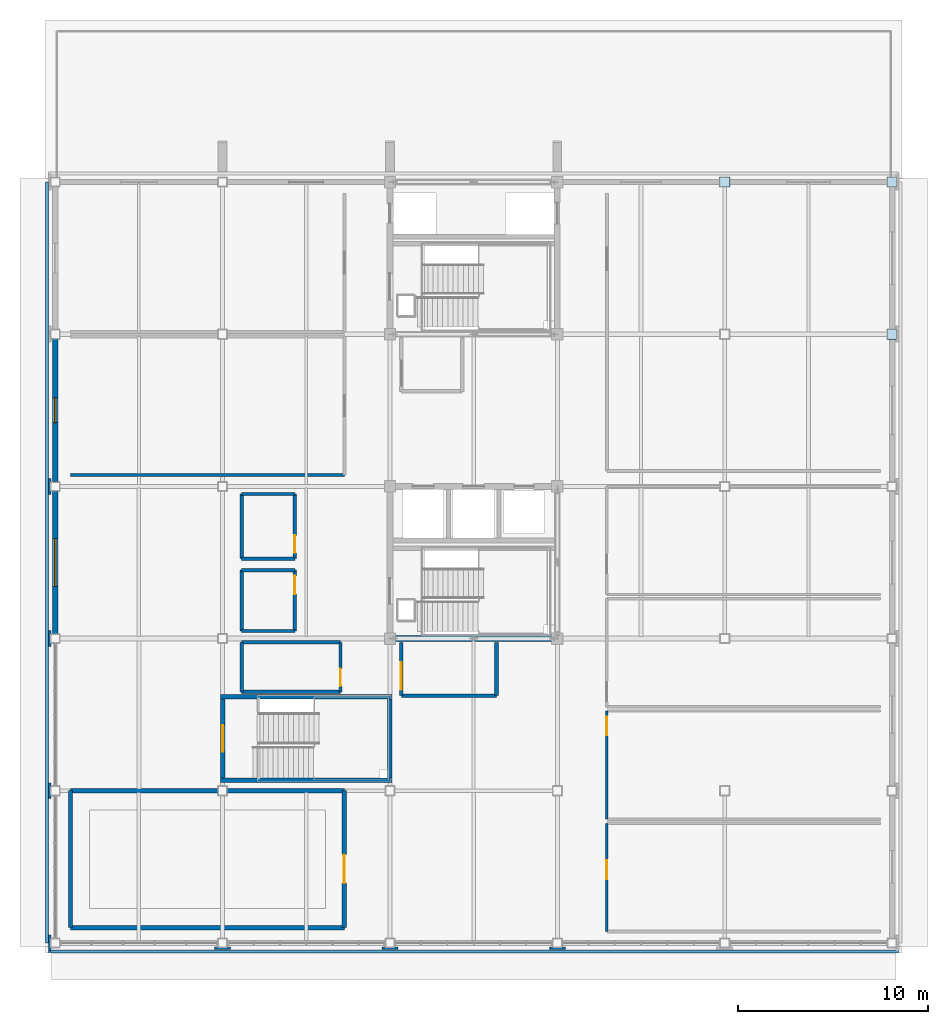
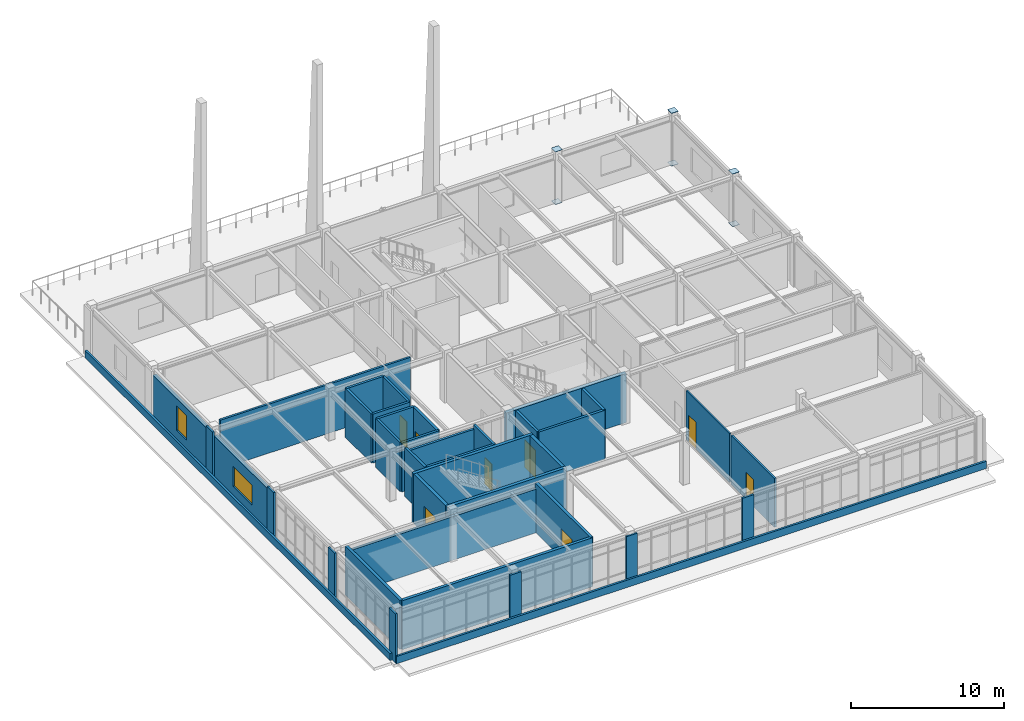
# One storey, part 14 of 22: 38 walls, 8 doors, 6 plates, 2 windows, 10 openings.
"""IFC4 building model written with IfcOpenShell, lengths in metres."""

from ifc_helpers import new_model, si_unit, direction, frame, frame_2d, origin, origin_2d, place, context, subcontext, project, spatial, rectangle, extrude, material, layer, layer_set, type_object, element, fill, save


model = new_model("IFC4")

# Units and contexts
model_context = context("Model", 3, precision=1e-05, world=origin(), true_north=direction((0.0, 1.0)))
body_context = subcontext(model_context, "Body", "Model", "MODEL_VIEW")
ifc_project = project(units=[si_unit("LENGTHUNIT", "METRE"), si_unit("AREAUNIT", "SQUARE_METRE"), si_unit("VOLUMEUNIT", "CUBIC_METRE"), si_unit("PLANEANGLEUNIT", "RADIAN"), si_unit("MASSUNIT", "GRAM", prefix="KILO")], contexts=[model_context])

# Site, building, storey
site_placement = place(None, origin())
site = spatial("IfcSite", under=ifc_project, at=site_placement, CompositionType="ELEMENT")
building_placement = place(site_placement, origin())
building = spatial("IfcBuilding", under=site, at=building_placement, Name="Zhaolan Boulevard Law Courts", CompositionType="ELEMENT")
storey_placement = place(building_placement, frame((0.0, 0.0, 28.800048828125)))
storey = spatial("IfcBuildingStorey", under=building, at=storey_placement, Name="L06", CompositionType="ELEMENT", Elevation=28.800048828125)

# Plates
ifc_material_1 = material(Name="Structural steel Q355B", Category="steel")
ifc_layer_1 = layer(ifc_material_1, 0.02001953125)
ifc_layer_set_1 = layer_set([ifc_layer_1])
plate_type = type_object("IfcPlateType", Name="END CAP PLATE 20", PredefinedType="SHEET", material=ifc_layer_set_1)
for number, where, z_axis, x_axis, name in (
    (1, (35.199951171875, 70.0, -0.01806640625), (0.0, 0.0, 1.0), (1.0, 0.0, 0.0), "Hollow Section End-Cap Plate ECP-0479"),
    (2, (35.199951171875, 70.0, 4.197998046875), (0.0, 0.0, 1.0), (1.0, 0.0, 0.0), "Hollow Section End-Cap Plate ECP-0480"),
    (3, (44.0, 62.0, -0.01806640625), (0.0, 0.0, 1.0), (1.0, 0.0, 0.0), "Hollow Section End-Cap Plate ECP-0573"),
    (4, (44.0, 62.0, 4.197998046875), (0.0, 0.0, 1.0), (1.0, 0.0, 0.0), "Hollow Section End-Cap Plate ECP-0574"),
    (5, (44.0, 70.0, -0.01806640625), (0.0, 0.0, 1.0), (1.0, 0.0, 0.0), "Hollow Section End-Cap Plate ECP-0591"),
    (6, (44.0, 70.0, 4.197998046875), (0.0, 0.0, 1.0), (1.0, 0.0, 0.0), "Hollow Section End-Cap Plate ECP-0592"),
):
    element("IfcPlate", number, at=place(storey_placement, frame(where, z_axis=z_axis, x_axis=x_axis)), inside=storey, type_object=plate_type, Name=name, PredefinedType="SHEET", context=body_context, shape_type="SweptSolid", body=[
        extrude(rectangle(XDim=0.530029296875, YDim=0.530029296875, at=origin_2d()), origin(), (0.0, 0.0, 1.0), 0.02001953125),
    ])

# Walls
ifc_material_2 = material(Name="Concrete C50", Category="concrete")
ifc_layer_2 = layer(ifc_material_2, 0.300048828125)
ifc_layer_set_2 = layer_set([ifc_layer_2])
wall_type_1 = type_object("IfcWallType", Name="CORE SHEAR WALL 300", PredefinedType="SHEAR", material=ifc_layer_set_2)
wall_1_placement = place(storey_placement, frame((17.449951171875, 46.0, 0.0), z_axis=(0.0, 0.0, 1.0), x_axis=(1.0, 0.0, 0.0)))
element("IfcWall", 7, at=wall_1_placement, inside=storey, type_object=wall_type_1, Name="Core Shear Wall CW-W1-L06S", PredefinedType="SHEAR", context=body_context, shape_type="SweptSolid", body=[
    extrude(rectangle(XDim=9.10009765625, YDim=0.300048828125, at=frame_2d((4.550048828125, 0.0))), origin(), (0.0, 0.0, 1.0), 3.919921875),
])
ifc_material_3 = material(Name="Concrete C40", Category="concrete")
ifc_layer_3 = layer(ifc_material_3, 0.139892578125)
ifc_layer_set_3 = layer_set([ifc_layer_3])
wall_type_2 = type_object("IfcWallType", Name="EXT WALL ARCH CLAD140", PredefinedType="SOLIDWALL", material=ifc_layer_set_3)
for number, where, z_axis, x_axis, name in (
    (8, (-0.280029296875, 29.580078125, 0.0), (0.0, 0.0, 1.0), (0.0, 1.0, 0.0), "Concrete Column Cloak Pier CPR-143"),
    (9, (-0.280029296875, 37.580078125, 0.0), (0.0, 0.0, 1.0), (0.0, 1.0, 0.0), "Concrete Column Cloak Pier CPR-145"),
    (10, (-0.280029296875, 45.580078125, 0.0), (0.0, 0.0, 1.0), (0.0, 1.0, 0.0), "Concrete Column Cloak Pier CPR-147"),
    (11, (-0.280029296875, 53.580078125, 0.0), (0.0, 0.0, 1.0), (0.0, 1.0, 0.0), "Concrete Column Cloak Pier CPR-149"),
):
    element("IfcWall", number, at=place(storey_placement, frame(where, z_axis=z_axis, x_axis=x_axis)), inside=storey, type_object=wall_type_2, Name=name, PredefinedType="SOLIDWALL", context=body_context, shape_type="SweptSolid", body=[
        extrude(rectangle(XDim=0.83984375, YDim=0.139892578125, at=frame_2d((0.419921875, 0.0))), origin(), (0.0, 0.0, 1.0), 3.93994140625),
    ])
for number, where, z_axis, x_axis, name in (
    (12, (8.3798828125, 29.719970703125, 0.0), (0.0, 0.0, 1.0), (1.0, 0.0, 0.0), "Concrete Column Cloak Pier CPR-155"),
    (13, (17.179931640625, 29.719970703125, 0.0), (0.0, 0.0, 1.0), (1.0, 0.0, 0.0), "Concrete Column Cloak Pier CPR-156"),
    (14, (25.97998046875, 29.719970703125, 0.0), (0.0, 0.0, 1.0), (1.0, 0.0, 0.0), "Concrete Column Cloak Pier CPR-157"),
):
    element("IfcWall", number, at=place(storey_placement, frame(where, z_axis=z_axis, x_axis=x_axis)), inside=storey, type_object=wall_type_2, Name=name, PredefinedType="SOLIDWALL", context=body_context, shape_type="SweptSolid", body=[
        extrude(rectangle(XDim=0.840087890625, YDim=0.139892578125, at=frame_2d((0.419921875, 0.0))), origin(), (0.0, 0.0, 1.0), 3.93994140625),
    ])
ifc_material_4 = material(Name="Concrete C40", Category="concrete")
ifc_layer_4 = layer(ifc_material_4, 0.159912109375)
ifc_layer_set_4 = layer_set([ifc_layer_4])
wall_type_3 = type_object("IfcWallType", Name="EXT WALL ARCH CLAD160", PredefinedType="SOLIDWALL", material=ifc_layer_set_4)
wall_2_placement = place(storey_placement, frame((-0.43994140625, 70.0, 0.0), z_axis=(0.0, 0.0, 1.0), x_axis=(0.0, -1.0, 0.0)))
element("IfcWall", 15, at=wall_2_placement, inside=storey, type_object=wall_type_3, Name="Sculpted Concrete Spandrel Band CBW-139", PredefinedType="SOLIDWALL", context=body_context, shape_type="SweptSolid", body=[
    extrude(rectangle(XDim=40.0, YDim=0.159912109375, at=frame_2d((20.0, 0.0))), origin(), (0.0, 0.0, 1.0), 0.579833984375),
])
wall_3_placement = place(storey_placement, frame((-0.340087890625, 29.56005859375, 0.0), z_axis=(0.0, 0.0, 1.0), x_axis=(1.0, 0.0, 0.0)))
element("IfcWall", 16, at=wall_3_placement, inside=storey, type_object=wall_type_3, Name="Sculpted Concrete Spandrel Band CBW-141", PredefinedType="SOLIDWALL", context=body_context, shape_type="SweptSolid", body=[
    extrude(rectangle(XDim=44.68017578125, YDim=0.159912109375, at=frame_2d((22.340087890625, 0.0))), origin(), (0.0, 0.0, 1.0), 0.579833984375),
])

# Wall, opening, window
ifc_material_5 = material(Name="Concrete C40", Category="concrete")
ifc_layer_5 = layer(ifc_material_5, 0.280029296875)
ifc_layer_set_5 = layer_set([ifc_layer_5])
wall_type_4 = type_object("IfcWallType", Name="EXT WALL CONCRETE280", PredefinedType="SOLIDWALL", material=ifc_layer_set_5)
wall_4_placement = place(storey_placement, frame((0.0, 53.75390625, 0.0), z_axis=(0.0, 0.0, 1.0), x_axis=(0.0, -1.0, 0.0)))
wall_4 = element("IfcWall", 17, at=wall_4_placement, inside=storey, type_object=wall_type_4, Name="Exterior Wall EW-L06-381", PredefinedType="SOLIDWALL", context=body_context, shape_type="SweptSolid", body=[
    extrude(rectangle(XDim=7.5078125, YDim=0.280029296875, at=frame_2d((3.75390625, 0.0))), origin(), (0.0, 0.0, 1.0), 3.48291015625),
])
opening_1_placement = place(wall_4_placement, frame((2.50390625, 0.0, 0.949951171875)))
opening_1 = element("IfcOpeningElement", 18, at=opening_1_placement, cuts=wall_4, Name="Opening WIN-L06-231", PredefinedType="OPENING", context=body_context, shape_type="SweptSolid", body=[
    extrude(rectangle(XDim=2.5, YDim=1.60009765625, at=frame_2d((1.25, 0.800048828125))), frame((0.0, 0.14990234375, 0.0), z_axis=(0.0, -1.0, 0.0), x_axis=(1.0, 0.0, 0.0)), (0.0, 0.0, 1.0), 0.300048828125),
])
ifc_material_6 = material(Name="Thermally broken aluminium and low-E glazing", Category="aluminium")
window_type_1 = type_object("IfcWindowType", Name="WINDOW 2500X1600", PartitioningType="DOUBLE_PANEL_VERTICAL", PredefinedType="WINDOW", material=ifc_material_6)
window_1_placement = place(opening_1_placement, origin())
window_1 = element("IfcWindow", 19, at=window_1_placement, inside=storey, type_object=window_type_1, Name="Exterior Window WIN-L06-231", OverallHeight=1.60009765625, OverallWidth=2.5, PartitioningType="SINGLE_PANEL", PredefinedType="WINDOW", context=body_context, shape_type="SweptSolid", body=[
    extrude(rectangle(XDim=2.5, YDim=1.60009765625, at=frame_2d((1.25, 0.800048828125))), frame((0.0, 0.030029296875, 0.0), z_axis=(0.0, -1.0, 0.0), x_axis=(1.0, 0.0, 0.0)), (0.0, 0.0, 1.0), 0.06005859375),
])
fill(opening_1, window_1)

wall_5_placement = place(storey_placement, frame((0.0, 61.75390625, 0.0), z_axis=(0.0, 0.0, 1.0), x_axis=(0.0, -1.0, 0.0)))
wall_5 = element("IfcWall", 20, at=wall_5_placement, inside=storey, type_object=wall_type_4, Name="Exterior Wall EW-L06-382", PredefinedType="SOLIDWALL", context=body_context, shape_type="SweptSolid", body=[
    extrude(rectangle(XDim=7.5078125, YDim=0.280029296875, at=frame_2d((3.75390625, 0.0))), origin(), (0.0, 0.0, 1.0), 3.48291015625),
])
opening_2_placement = place(wall_5_placement, frame((3.10400390625, 0.0, 0.949951171875)))
opening_2 = element("IfcOpeningElement", 21, at=opening_2_placement, cuts=wall_5, Name="Opening WIN-L06-232", PredefinedType="OPENING", context=body_context, shape_type="SweptSolid", body=[
    extrude(rectangle(XDim=1.300048828125, YDim=1.949951171875, at=frame_2d((0.64990234375, 0.97509765625))), frame((0.0, 0.14990234375, 0.0), z_axis=(0.0, -1.0, 0.0), x_axis=(1.0, 0.0, 0.0)), (0.0, 0.0, 1.0), 0.300048828125),
])
ifc_material_7 = material(Name="Thermally broken aluminium and low-E glazing", Category="aluminium")
window_type_2 = type_object("IfcWindowType", Name="WINDOW 1300X1950", PartitioningType="SINGLE_PANEL", PredefinedType="WINDOW", material=ifc_material_7)
window_2_placement = place(opening_2_placement, origin())
window_2 = element("IfcWindow", 22, at=window_2_placement, inside=storey, type_object=window_type_2, Name="Exterior Window WIN-L06-232", OverallHeight=1.949951171875, OverallWidth=1.300048828125, PartitioningType="SINGLE_PANEL", PredefinedType="WINDOW", context=body_context, shape_type="SweptSolid", body=[
    extrude(rectangle(XDim=1.300048828125, YDim=1.949951171875, at=frame_2d((0.64990234375, 0.97509765625))), frame((0.0, 0.030029296875, 0.0), z_axis=(0.0, -1.0, 0.0), x_axis=(1.0, 0.0, 0.0)), (0.0, 0.0, 1.0), 0.06005859375),
])
fill(opening_2, window_2)

# Wall
ifc_material_8 = material(Name="Acoustic gypsum and mineral-wool stud")
ifc_layer_6 = layer(ifc_material_8, 0.18994140625)
ifc_layer_set_6 = layer_set([ifc_layer_6])
wall_type_5 = type_object("IfcWallType", Name="PART WALL ACOUST190", PredefinedType="PARTITIONING", material=ifc_layer_set_6)
wall_6_placement = place(storey_placement, frame((18.199951171875, 43.0, 0.0), z_axis=(0.0, 0.0, 1.0), x_axis=(1.0, 0.0, 0.0)))
element("IfcWall", 23, at=wall_6_placement, inside=storey, type_object=wall_type_5, Name="Interior Partition PW-L06-043", PredefinedType="PARTITIONING", context=body_context, shape_type="SweptSolid", body=[
    extrude(rectangle(XDim=5.0, YDim=0.18994140625, at=frame_2d((2.5, 0.0))), origin(), (0.0, 0.0, 1.0), 3.919921875),
])

# Wall, opening, door
wall_7_placement = place(storey_placement, frame((18.199951171875, 45.800048828125, 0.0), z_axis=(0.0, 0.0, 1.0), x_axis=(0.0, -1.0, 0.0)))
wall_7 = element("IfcWall", 24, at=wall_7_placement, inside=storey, type_object=wall_type_5, Name="Interior Partition PW-L06-044", PredefinedType="PARTITIONING", context=body_context, shape_type="SweptSolid", body=[
    extrude(rectangle(XDim=2.800048828125, YDim=0.18994140625, at=frame_2d((1.39990234375, 0.0))), origin(), (0.0, 0.0, 1.0), 3.919921875),
])
opening_3_placement = place(wall_7_placement, frame((1.050048828125, 0.0, 0.0)))
opening_3 = element("IfcOpeningElement", 25, at=opening_3_placement, cuts=wall_7, Name="Opening FD-L06-015", PredefinedType="OPENING", context=body_context, shape_type="SweptSolid", body=[
    extrude(rectangle(XDim=1.449951171875, YDim=2.199951171875, at=frame_2d((0.72509765625, 1.10009765625))), frame((0.0, 0.10498046875, 0.0), z_axis=(0.0, -1.0, 0.0), x_axis=(1.0, 0.0, 0.0)), (0.0, 0.0, 1.0), 0.2099609375),
])
ifc_material_9 = material(Name="Fire-rated steel acoustic door", Category="steel")
door_type_1 = type_object("IfcDoorType", Name="LOBBY FIRE 1450X2200 L", OperationType="SINGLE_SWING_LEFT", PredefinedType="DOOR", material=ifc_material_9)
door_1_placement = place(opening_3_placement, origin())
door_1 = element("IfcDoor", 26, at=door_1_placement, inside=storey, type_object=door_type_1, Name="Door FD-L06-015 (Lobby Firefighting Lift L06-W1)", OperationType="SINGLE_SWING_LEFT", OverallHeight=2.199951171875, OverallWidth=1.449951171875, PredefinedType="DOOR", context=body_context, shape_type="SweptSolid", body=[
    extrude(rectangle(XDim=1.449951171875, YDim=2.199951171875, at=frame_2d((0.72509765625, 1.10009765625))), frame((0.0, 0.02490234375, 0.0), z_axis=(0.0, -1.0, 0.0), x_axis=(1.0, 0.0, 0.0)), (0.0, 0.0, 1.0), 0.050048828125),
])
fill(opening_3, door_1)

# Walls
wall_8_placement = place(storey_placement, frame((23.199951171875, 43.0, 0.0), z_axis=(0.0, 0.0, 1.0), x_axis=(0.0, 1.0, 0.0)))
element("IfcWall", 27, at=wall_8_placement, inside=storey, type_object=wall_type_5, Name="Interior Partition PW-L06-045", PredefinedType="PARTITIONING", context=body_context, shape_type="SweptSolid", body=[
    extrude(rectangle(XDim=2.800048828125, YDim=0.18994140625, at=frame_2d((1.39990234375, 0.0))), origin(), (0.0, 0.0, 1.0), 3.919921875),
])
ifc_material_10 = material(Name="Fire-rated gypsum stud partition")
ifc_layer_7 = layer(ifc_material_10, 0.159912109375)
ifc_layer_set_7 = layer_set([ifc_layer_7])
wall_type_6 = type_object("IfcWallType", Name="PART WALL CHAMB160", PredefinedType="PARTITIONING", material=ifc_layer_set_7)
wall_9_placement = place(storey_placement, frame((0.800048828125, 54.60009765625, 0.0), z_axis=(0.0, 0.0, 1.0), x_axis=(1.0, 0.0, 0.0)))
element("IfcWall", 28, at=wall_9_placement, inside=storey, type_object=wall_type_6, Name="Interior Partition PW-L06-670", PredefinedType="PARTITIONING", context=body_context, shape_type="SweptSolid", body=[
    extrude(rectangle(XDim=14.39990234375, YDim=0.159912109375, at=frame_2d((7.199951171875, 0.0))), origin(), (0.0, 0.0, 1.0), 3.919921875),
])
ifc_material_11 = material(Name="Concrete C40", Category="concrete")
ifc_layer_8 = layer(ifc_material_11, 0.219970703125)
ifc_layer_set_8 = layer_set([ifc_layer_8])
wall_type_7 = type_object("IfcWallType", Name="PART WALL COURT220", PredefinedType="PARTITIONING", material=ifc_layer_set_8)
wall_10_placement = place(storey_placement, frame((0.800048828125, 30.800048828125, 0.0), z_axis=(0.0, 0.0, 1.0), x_axis=(1.0, 0.0, 0.0)))
element("IfcWall", 29, at=wall_10_placement, inside=storey, type_object=wall_type_7, Name="Interior Partition PW-L06-666", PredefinedType="PARTITIONING", context=body_context, shape_type="SweptSolid", body=[
    extrude(rectangle(XDim=14.39990234375, YDim=0.219970703125, at=frame_2d((7.199951171875, 0.0))), origin(), (0.0, 0.0, 1.0), 3.919921875),
])
wall_11_placement = place(storey_placement, frame((15.199951171875, 38.0, 0.0), z_axis=(0.0, 0.0, 1.0), x_axis=(-1.0, 0.0, 0.0)))
element("IfcWall", 30, at=wall_11_placement, inside=storey, type_object=wall_type_7, Name="Interior Partition PW-L06-667", PredefinedType="PARTITIONING", context=body_context, shape_type="SweptSolid", body=[
    extrude(rectangle(XDim=14.39990234375, YDim=0.219970703125, at=frame_2d((7.199951171875, 0.0))), origin(), (0.0, 0.0, 1.0), 3.48583984375),
])
wall_12_placement = place(storey_placement, frame((0.800048828125, 38.0, 0.0), z_axis=(0.0, 0.0, 1.0), x_axis=(0.0, -1.0, 0.0)))
element("IfcWall", 31, at=wall_12_placement, inside=storey, type_object=wall_type_7, Name="Interior Partition PW-L06-668", PredefinedType="PARTITIONING", context=body_context, shape_type="SweptSolid", body=[
    extrude(rectangle(XDim=7.199951171875, YDim=0.219970703125, at=frame_2d((3.60009765625, 0.0))), origin(), (0.0, 0.0, 1.0), 3.919921875),
])

# Wall, opening, door
wall_13_placement = place(storey_placement, frame((15.199951171875, 30.800048828125, 0.0), z_axis=(0.0, 0.0, 1.0), x_axis=(0.0, 1.0, 0.0)))
wall_13 = element("IfcWall", 32, at=wall_13_placement, inside=storey, type_object=wall_type_7, Name="Interior Partition PW-L06-669", PredefinedType="PARTITIONING", context=body_context, shape_type="SweptSolid", body=[
    extrude(rectangle(XDim=7.199951171875, YDim=0.219970703125, at=frame_2d((3.60009765625, 0.0))), origin(), (0.0, 0.0, 1.0), 3.919921875),
])
opening_4_placement = place(wall_13_placement, frame((2.340087890625, 0.0, 0.0)))
opening_4 = element("IfcOpeningElement", 33, at=opening_4_placement, cuts=wall_13, Name="Opening ID-L06-203", PredefinedType="OPENING", context=body_context, shape_type="SweptSolid", body=[
    extrude(rectangle(XDim=1.5, YDim=2.300048828125, at=frame_2d((0.75, 1.14990234375))), frame((0.0, 0.119873046875, 0.0), z_axis=(0.0, -1.0, 0.0), x_axis=(1.0, 0.0, 0.0)), (0.0, 0.0, 1.0), 0.239990234375),
])
ifc_material_12 = material(Name="Solid-core acoustic oak veneer door")
door_type_2 = type_object("IfcDoorType", Name="COURT DOUBLE 1500X2300", OperationType="DOUBLE_DOOR_SINGLE_SWING", PredefinedType="DOOR", material=ifc_material_12)
door_2_placement = place(opening_4_placement, origin())
door_2 = element("IfcDoor", 34, at=door_2_placement, inside=storey, type_object=door_type_2, Name="Door ID-L06-203 (Maritime Appellate Courtroom 21)", OperationType="DOUBLE_DOOR_SINGLE_SWING", OverallHeight=2.300048828125, OverallWidth=1.5, PredefinedType="DOOR", context=body_context, shape_type="SweptSolid", body=[
    extrude(rectangle(XDim=1.5, YDim=2.300048828125, at=frame_2d((0.75, 1.14990234375))), frame((0.0, 0.02490234375, 0.0), z_axis=(0.0, -1.0, 0.0), x_axis=(1.0, 0.0, 0.0)), (0.0, 0.0, 1.0), 0.050048828125),
])
fill(opening_4, door_2)

ifc_material_13 = material(Name="Gypsum board stud partition")
ifc_layer_9 = layer(ifc_material_13, 0.1201171875)
ifc_layer_set_9 = layer_set([ifc_layer_9])
wall_type_8 = type_object("IfcWallType", Name="PART WALL LIGHT120", PredefinedType="PARTITIONING", material=ifc_layer_set_9)
wall_14_placement = place(storey_placement, frame((29.0, 42.18994140625, 0.0), z_axis=(0.0, 0.0, 1.0), x_axis=(0.0, -1.0, 0.0)))
wall_14 = element("IfcWall", 35, at=wall_14_placement, inside=storey, type_object=wall_type_8, Name="Interior Partition PW-L06-680", PredefinedType="PARTITIONING", context=body_context, shape_type="SweptSolid", body=[
    extrude(rectangle(XDim=5.68505859375, YDim=0.1201171875, at=frame_2d((2.842529296875, 0.0))), origin(), (0.0, 0.0, 1.0), 3.919921875),
])
opening_5_placement = place(wall_14_placement, frame((0.300048828125, 0.0, 0.0)))
opening_5 = element("IfcOpeningElement", 36, at=opening_5_placement, cuts=wall_14, Name="Opening JD-L06-207", PredefinedType="OPENING", context=body_context, shape_type="SweptSolid", body=[
    extrude(rectangle(XDim=0.97998046875, YDim=2.14990234375, at=frame_2d((0.489990234375, 1.074951171875))), frame((0.0, 0.070068359375, 0.0), z_axis=(0.0, -1.0, 0.0), x_axis=(1.0, 0.0, 0.0)), (0.0, 0.0, 1.0), 0.14013671875),
])
ifc_material_14 = material(Name="Solid-core acoustic oak veneer door")
door_type_3 = type_object("IfcDoorType", Name="CHAMBER DOOR 980X2150 R", OperationType="SINGLE_SWING_RIGHT", PredefinedType="DOOR", material=ifc_material_14)
door_3_placement = place(opening_5_placement, origin())
door_3 = element("IfcDoor", 37, at=door_3_placement, inside=storey, type_object=door_type_3, Name="Door JD-L06-207 (Judges' Chambers L06-02)", OperationType="SINGLE_SWING_RIGHT", OverallHeight=2.14990234375, OverallWidth=0.97998046875, PredefinedType="DOOR", context=body_context, shape_type="SweptSolid", body=[
    extrude(rectangle(XDim=0.97998046875, YDim=2.14990234375, at=frame_2d((0.489990234375, 1.074951171875))), frame((0.0, 0.02490234375, 0.0), z_axis=(0.0, -1.0, 0.0), x_axis=(1.0, 0.0, 0.0)), (0.0, 0.0, 1.0), 0.050048828125),
])
fill(opening_5, door_3)

ifc_material_15 = material(Name="Fire-rated gypsum stud partition")
ifc_layer_10 = layer(ifc_material_15, 0.139892578125)
ifc_layer_set_10 = layer_set([ifc_layer_10])
wall_type_9 = type_object("IfcWallType", Name="PART WALL OFFICE140", PredefinedType="PARTITIONING", material=ifc_layer_set_10)
wall_15_placement = place(storey_placement, frame((29.0, 36.284912109375, 0.0), z_axis=(0.0, 0.0, 1.0), x_axis=(0.0, -1.0, 0.0)))
wall_15 = element("IfcWall", 38, at=wall_15_placement, inside=storey, type_object=wall_type_9, Name="Interior Partition PW-L06-677", PredefinedType="PARTITIONING", context=body_context, shape_type="SweptSolid", body=[
    extrude(rectangle(XDim=5.684814453125, YDim=0.139892578125, at=frame_2d((2.84228515625, 0.0))), origin(), (0.0, 0.0, 1.0), 3.919921875),
])
opening_6_placement = place(wall_15_placement, frame((1.93408203125, 0.0, 0.0)))
opening_6 = element("IfcOpeningElement", 39, at=opening_6_placement, cuts=wall_15, Name="Opening JD-L06-206", PredefinedType="OPENING", context=body_context, shape_type="SweptSolid", body=[
    extrude(rectangle(XDim=1.0, YDim=2.14990234375, at=frame_2d((0.5, 1.074951171875))), frame((0.0, 0.079833984375, 0.0), z_axis=(0.0, -1.0, 0.0), x_axis=(1.0, 0.0, 0.0)), (0.0, 0.0, 1.0), 0.159912109375),
])
ifc_material_16 = material(Name="Solid-core acoustic oak veneer door")
door_type_4 = type_object("IfcDoorType", Name="CHAMBER DOOR 1000X2150 L", OperationType="SINGLE_SWING_LEFT", PredefinedType="DOOR", material=ifc_material_16)
door_4_placement = place(opening_6_placement, origin())
door_4 = element("IfcDoor", 40, at=door_4_placement, inside=storey, type_object=door_type_4, Name="Door JD-L06-206 (Judges' Chambers L06-01)", OperationType="SINGLE_SWING_LEFT", OverallHeight=2.14990234375, OverallWidth=1.0, PredefinedType="DOOR", context=body_context, shape_type="SweptSolid", body=[
    extrude(rectangle(XDim=1.0, YDim=2.14990234375, at=frame_2d((0.5, 1.074951171875))), frame((0.0, 0.02490234375, 0.0), z_axis=(0.0, -1.0, 0.0), x_axis=(1.0, 0.0, 0.0)), (0.0, 0.0, 1.0), 0.050048828125),
])
fill(opening_6, door_4)

# Walls
ifc_material_17 = material(Name="Moisture-resistant masonry chase wall", Category="masonry")
ifc_layer_11 = layer(ifc_material_17, 0.179931640625)
ifc_layer_set_11 = layer_set([ifc_layer_11])
wall_type_10 = type_object("IfcWallType", Name="PLUMB WALL 180", PredefinedType="PLUMBINGWALL", material=ifc_layer_set_11)
for number, where, z_axis, x_axis, name in (
    (41, (9.800048828125, 46.39990234375, 0.0), (0.0, 0.0, 1.0), (1.0, 0.0, 0.0), "Interior Partition PW-L06-163"),
    (42, (12.60009765625, 49.60009765625, 0.0), (0.0, 0.0, 1.0), (-1.0, 0.0, 0.0), "Interior Partition PW-L06-164"),
):
    element("IfcWall", number, at=place(storey_placement, frame(where, z_axis=z_axis, x_axis=x_axis)), inside=storey, type_object=wall_type_10, Name=name, PredefinedType="PLUMBINGWALL", context=body_context, shape_type="SweptSolid", body=[
        extrude(rectangle(XDim=2.800048828125, YDim=0.179931640625, at=frame_2d((1.39990234375, 0.0))), origin(), (0.0, 0.0, 1.0), 3.919921875),
    ])
wall_16_placement = place(storey_placement, frame((9.800048828125, 49.60009765625, 0.0), z_axis=(0.0, 0.0, 1.0), x_axis=(0.0, -1.0, 0.0)))
element("IfcWall", 43, at=wall_16_placement, inside=storey, type_object=wall_type_10, Name="Interior Partition PW-L06-165", PredefinedType="PLUMBINGWALL", context=body_context, shape_type="SweptSolid", body=[
    extrude(rectangle(XDim=3.2001953125, YDim=0.179931640625, at=frame_2d((1.60009765625, 0.0))), origin(), (0.0, 0.0, 1.0), 3.919921875),
])

# Wall, opening, door
wall_17_placement = place(storey_placement, frame((12.60009765625, 46.39990234375, 0.0), z_axis=(0.0, 0.0, 1.0), x_axis=(0.0, 1.0, 0.0)))
wall_17 = element("IfcWall", 44, at=wall_17_placement, inside=storey, type_object=wall_type_10, Name="Interior Partition PW-L06-166", PredefinedType="PLUMBINGWALL", context=body_context, shape_type="SweptSolid", body=[
    extrude(rectangle(XDim=3.2001953125, YDim=0.179931640625, at=frame_2d((1.60009765625, 0.0))), origin(), (0.0, 0.0, 1.0), 3.919921875),
])
opening_7_placement = place(wall_17_placement, frame((1.93994140625, 0.0, 0.0)))
opening_7 = element("IfcOpeningElement", 45, at=opening_7_placement, cuts=wall_17, Name="Opening WD-L06-049", PredefinedType="OPENING", context=body_context, shape_type="SweptSolid", body=[
    extrude(rectangle(XDim=0.9599609375, YDim=2.10009765625, at=frame_2d((0.47998046875, 1.050048828125))), frame((0.0, 0.099853515625, 0.0), z_axis=(0.0, -1.0, 0.0), x_axis=(1.0, 0.0, 0.0)), (0.0, 0.0, 1.0), 0.199951171875),
])
ifc_material_18 = material(Name="Solid-core acoustic oak veneer door")
door_type_5 = type_object("IfcDoorType", Name="WCDOOR ACC 960X2100 L", OperationType="SINGLE_SWING_LEFT", PredefinedType="DOOR", material=ifc_material_18)
door_5_placement = place(opening_7_placement, origin())
door_5 = element("IfcDoor", 46, at=door_5_placement, inside=storey, type_object=door_type_5, Name="Door WD-L06-049 (Accessible WC L06)", OperationType="SINGLE_SWING_LEFT", OverallHeight=2.10009765625, OverallWidth=0.9599609375, PredefinedType="DOOR", context=body_context, shape_type="SweptSolid", body=[
    extrude(rectangle(XDim=0.9599609375, YDim=2.10009765625, at=frame_2d((0.47998046875, 1.050048828125))), frame((0.0, 0.02490234375, 0.0), z_axis=(0.0, -1.0, 0.0), x_axis=(1.0, 0.0, 0.0)), (0.0, 0.0, 1.0), 0.050048828125),
])
fill(opening_7, door_5)

# Walls
for number, where, z_axis, x_axis, name in (
    (47, (9.800048828125, 50.199951171875, 0.0), (0.0, 0.0, 1.0), (1.0, 0.0, 0.0), "Interior Partition PW-L06-167"),
    (48, (12.60009765625, 53.60009765625, 0.0), (0.0, 0.0, 1.0), (-1.0, 0.0, 0.0), "Interior Partition PW-L06-168"),
):
    element("IfcWall", number, at=place(storey_placement, frame(where, z_axis=z_axis, x_axis=x_axis)), inside=storey, type_object=wall_type_10, Name=name, PredefinedType="PLUMBINGWALL", context=body_context, shape_type="SweptSolid", body=[
        extrude(rectangle(XDim=2.800048828125, YDim=0.179931640625, at=frame_2d((1.39990234375, 0.0))), origin(), (0.0, 0.0, 1.0), 3.919921875),
    ])
wall_18_placement = place(storey_placement, frame((9.800048828125, 53.60009765625, 0.0), z_axis=(0.0, 0.0, 1.0), x_axis=(0.0, -1.0, 0.0)))
element("IfcWall", 49, at=wall_18_placement, inside=storey, type_object=wall_type_10, Name="Interior Partition PW-L06-169", PredefinedType="PLUMBINGWALL", context=body_context, shape_type="SweptSolid", body=[
    extrude(rectangle(XDim=3.400146484375, YDim=0.179931640625, at=frame_2d((1.7001953125, 0.0))), origin(), (0.0, 0.0, 1.0), 3.919921875),
])

# Wall, opening, door
wall_19_placement = place(storey_placement, frame((12.60009765625, 50.199951171875, 0.0), z_axis=(0.0, 0.0, 1.0), x_axis=(0.0, 1.0, 0.0)))
wall_19 = element("IfcWall", 50, at=wall_19_placement, inside=storey, type_object=wall_type_10, Name="Interior Partition PW-L06-170", PredefinedType="PLUMBINGWALL", context=body_context, shape_type="SweptSolid", body=[
    extrude(rectangle(XDim=3.400146484375, YDim=0.179931640625, at=frame_2d((1.7001953125, 0.0))), origin(), (0.0, 0.0, 1.0), 3.919921875),
])
opening_8_placement = place(wall_19_placement, frame((0.300048828125, 0.0, 0.0)))
opening_8 = element("IfcOpeningElement", 51, at=opening_8_placement, cuts=wall_19, Name="Opening WD-L06-050", PredefinedType="OPENING", context=body_context, shape_type="SweptSolid", body=[
    extrude(rectangle(XDim=0.919921875, YDim=2.10009765625, at=frame_2d((0.4599609375, 1.050048828125))), frame((0.0, 0.099853515625, 0.0), z_axis=(0.0, -1.0, 0.0), x_axis=(1.0, 0.0, 0.0)), (0.0, 0.0, 1.0), 0.199951171875),
])
ifc_material_19 = material(Name="Solid-core acoustic oak veneer door")
door_type_6 = type_object("IfcDoorType", Name="WCDOOR PUB 920X2100 R", OperationType="SINGLE_SWING_RIGHT", PredefinedType="DOOR", material=ifc_material_19)
door_6_placement = place(opening_8_placement, origin())
door_6 = element("IfcDoor", 52, at=door_6_placement, inside=storey, type_object=door_type_6, Name="Door WD-L06-050 (WC Public Male L06)", OperationType="SINGLE_SWING_RIGHT", OverallHeight=2.10009765625, OverallWidth=0.919921875, PredefinedType="DOOR", context=body_context, shape_type="SweptSolid", body=[
    extrude(rectangle(XDim=0.919921875, YDim=2.10009765625, at=frame_2d((0.4599609375, 1.050048828125))), frame((0.0, 0.02490234375, 0.0), z_axis=(0.0, -1.0, 0.0), x_axis=(1.0, 0.0, 0.0)), (0.0, 0.0, 1.0), 0.050048828125),
])
fill(opening_8, door_6)

# Walls
wall_20_placement = place(storey_placement, frame((9.800048828125, 43.199951171875, 0.0), z_axis=(0.0, 0.0, 1.0), x_axis=(1.0, 0.0, 0.0)))
element("IfcWall", 53, at=wall_20_placement, inside=storey, type_object=wall_type_10, Name="Interior Partition PW-L06-171", PredefinedType="PLUMBINGWALL", context=body_context, shape_type="SweptSolid", body=[
    extrude(rectangle(XDim=5.199951171875, YDim=0.179931640625, at=frame_2d((2.60009765625, 0.0))), origin(), (0.0, 0.0, 1.0), 3.919921875),
])
wall_21_placement = place(storey_placement, frame((15.0, 45.800048828125, 0.0), z_axis=(0.0, 0.0, 1.0), x_axis=(-1.0, 0.0, 0.0)))
element("IfcWall", 54, at=wall_21_placement, inside=storey, type_object=wall_type_10, Name="Interior Partition PW-L06-172", PredefinedType="PLUMBINGWALL", context=body_context, shape_type="SweptSolid", body=[
    extrude(rectangle(XDim=5.199951171875, YDim=0.179931640625, at=frame_2d((2.60009765625, 0.0))), origin(), (0.0, 0.0, 1.0), 3.595947265625),
])
wall_22_placement = place(storey_placement, frame((9.800048828125, 45.800048828125, 0.0), z_axis=(0.0, 0.0, 1.0), x_axis=(0.0, -1.0, 0.0)))
element("IfcWall", 55, at=wall_22_placement, inside=storey, type_object=wall_type_10, Name="Interior Partition PW-L06-173", PredefinedType="PLUMBINGWALL", context=body_context, shape_type="SweptSolid", body=[
    extrude(rectangle(XDim=2.60009765625, YDim=0.179931640625, at=frame_2d((1.300048828125, 0.0))), origin(), (0.0, 0.0, 1.0), 3.919921875),
])

# Wall, opening, door
wall_23_placement = place(storey_placement, frame((15.0, 43.199951171875, 0.0), z_axis=(0.0, 0.0, 1.0), x_axis=(0.0, 1.0, 0.0)))
wall_23 = element("IfcWall", 56, at=wall_23_placement, inside=storey, type_object=wall_type_10, Name="Interior Partition PW-L06-174", PredefinedType="PLUMBINGWALL", context=body_context, shape_type="SweptSolid", body=[
    extrude(rectangle(XDim=2.60009765625, YDim=0.179931640625, at=frame_2d((1.300048828125, 0.0))), origin(), (0.0, 0.0, 1.0), 3.919921875),
])
opening_9_placement = place(wall_23_placement, frame((0.300048828125, 0.0, 0.0)))
opening_9 = element("IfcOpeningElement", 57, at=opening_9_placement, cuts=wall_23, Name="Opening WD-L06-051", PredefinedType="OPENING", context=body_context, shape_type="SweptSolid", body=[
    extrude(rectangle(XDim=0.919921875, YDim=2.10009765625, at=frame_2d((0.4599609375, 1.050048828125))), frame((0.0, 0.099853515625, 0.0), z_axis=(0.0, -1.0, 0.0), x_axis=(1.0, 0.0, 0.0)), (0.0, 0.0, 1.0), 0.199951171875),
])
door_7_placement = place(opening_9_placement, origin())
door_7 = element("IfcDoor", 58, at=door_7_placement, inside=storey, type_object=door_type_6, Name="Door WD-L06-051 (WC Public Female L06)", OperationType="SINGLE_SWING_RIGHT", OverallHeight=2.10009765625, OverallWidth=0.919921875, PredefinedType="DOOR", context=body_context, shape_type="SweptSolid", body=[
    extrude(rectangle(XDim=0.919921875, YDim=2.10009765625, at=frame_2d((0.4599609375, 1.050048828125))), frame((0.0, 0.02490234375, 0.0), z_axis=(0.0, -1.0, 0.0), x_axis=(1.0, 0.0, 0.0)), (0.0, 0.0, 1.0), 0.050048828125),
])
fill(opening_9, door_7)

# Walls
ifc_material_20 = material(Name="Concrete C50", Category="concrete")
ifc_layer_12 = layer(ifc_material_20, 0.239990234375)
ifc_layer_set_12 = layer_set([ifc_layer_12])
wall_type_11 = type_object("IfcWallType", Name="STAIR WELL WALL 240", PredefinedType="SHEAR", material=ifc_layer_set_12)
for number, where, z_axis, x_axis, name in (
    (59, (8.679931640625, 38.550048828125, 0.0), (0.0, 0.0, 1.0), (1.0, 0.0, 0.0), "Stairwell Shear Wall ST03-L06S"),
    (60, (17.719970703125, 42.949951171875, 0.0), (0.0, 0.0, 1.0), (-1.0, 0.0, 0.0), "Stairwell Shear Wall ST03-L06N"),
):
    element("IfcWall", number, at=place(storey_placement, frame(where, z_axis=z_axis, x_axis=x_axis)), inside=storey, type_object=wall_type_11, Name=name, PredefinedType="SHEAR", context=body_context, shape_type="SweptSolid", body=[
        extrude(rectangle(XDim=9.0400390625, YDim=0.239990234375, at=frame_2d((4.52001953125, 0.0))), origin(), (0.0, 0.0, 1.0), 3.949951171875),
    ])

# Wall, opening, door
wall_24_placement = place(storey_placement, frame((8.800048828125, 38.669921875, 0.0), z_axis=(0.0, 0.0, 1.0), x_axis=(0.0, 1.0, 0.0)))
wall_24 = element("IfcWall", 61, at=wall_24_placement, inside=storey, type_object=wall_type_11, Name="Stairwell Shear Wall ST03-L06W", PredefinedType="SHEAR", context=body_context, shape_type="SweptSolid", body=[
    extrude(rectangle(XDim=4.16015625, YDim=0.239990234375, at=frame_2d((2.080078125, 0.0))), origin(), (0.0, 0.0, 1.0), 3.949951171875),
])
opening_10_placement = place(wall_24_placement, frame((1.3798828125, 0.0, 0.0)))
opening_10 = element("IfcOpeningElement", 62, at=opening_10_placement, cuts=wall_24, Name="Opening SD-L06-53", PredefinedType="OPENING", context=body_context, shape_type="SweptSolid", body=[
    extrude(rectangle(XDim=1.39990234375, YDim=2.199951171875, at=frame_2d((0.699951171875, 1.10009765625))), frame((0.0, 0.1298828125, 0.0), z_axis=(0.0, -1.0, 0.0), x_axis=(1.0, 0.0, 0.0)), (0.0, 0.0, 1.0), 0.260009765625),
])
ifc_material_21 = material(Name="Fire-rated steel acoustic door", Category="steel")
door_type_7 = type_object("IfcDoorType", Name="STAIR FIRE 1400X2200 L", OperationType="SINGLE_SWING_LEFT", PredefinedType="DOOR", material=ifc_material_21)
door_8_placement = place(opening_10_placement, origin())
door_8 = element("IfcDoor", 63, at=door_8_placement, inside=storey, type_object=door_type_7, Name="Smoke-Proof Stairwell Fire Door SD-L06-53", OperationType="SINGLE_SWING_LEFT", OverallHeight=2.199951171875, OverallWidth=1.39990234375, PredefinedType="DOOR", context=body_context, shape_type="SweptSolid", body=[
    extrude(rectangle(XDim=1.39990234375, YDim=2.199951171875, at=frame_2d((0.699951171875, 1.10009765625))), frame((0.0, 0.02490234375, 0.0), z_axis=(0.0, -1.0, 0.0), x_axis=(1.0, 0.0, 0.0)), (0.0, 0.0, 1.0), 0.050048828125),
])
fill(opening_10, door_8)

# Wall
wall_25_placement = place(storey_placement, frame((17.60009765625, 38.669921875, 0.0), z_axis=(0.0, 0.0, 1.0), x_axis=(0.0, 1.0, 0.0)))
element("IfcWall", 64, at=wall_25_placement, inside=storey, type_object=wall_type_11, Name="Stairwell Shear Wall ST03-L06E", PredefinedType="SHEAR", context=body_context, shape_type="SweptSolid", body=[
    extrude(rectangle(XDim=4.16015625, YDim=0.239990234375, at=frame_2d((2.080078125, 0.0))), origin(), (0.0, 0.0, 1.0), 3.949951171875),
])

save(model, "model.ifc")
